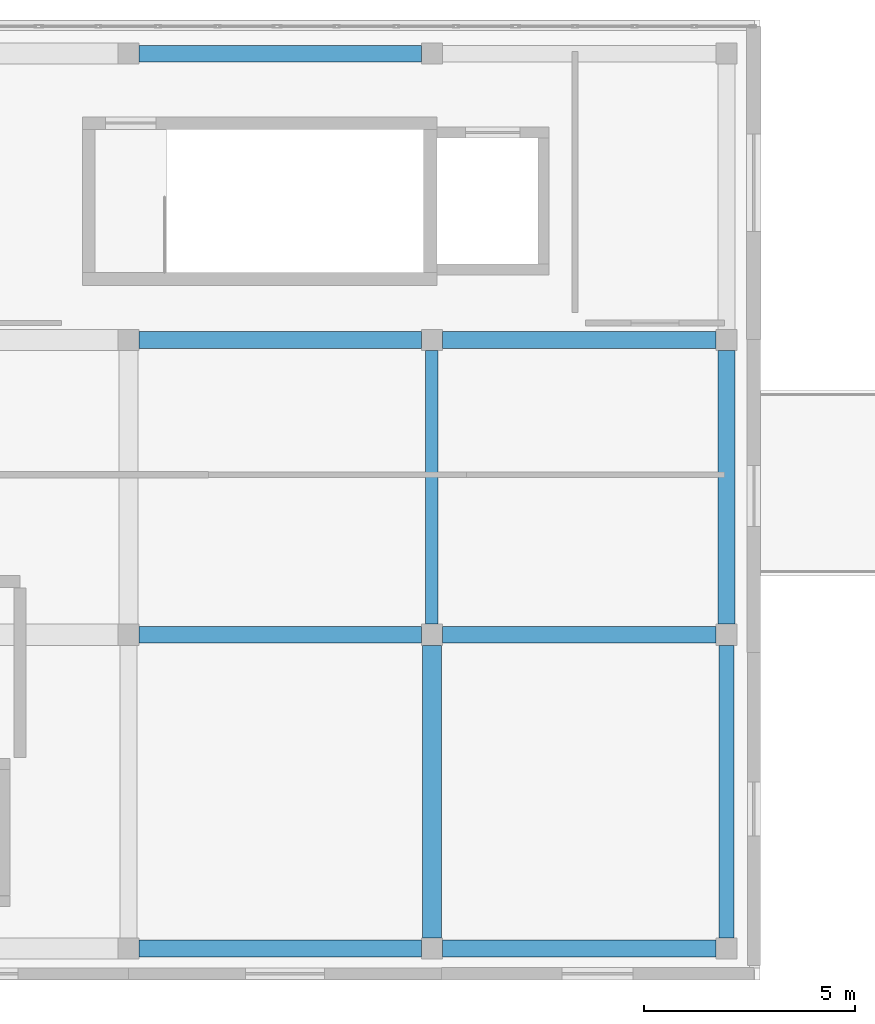
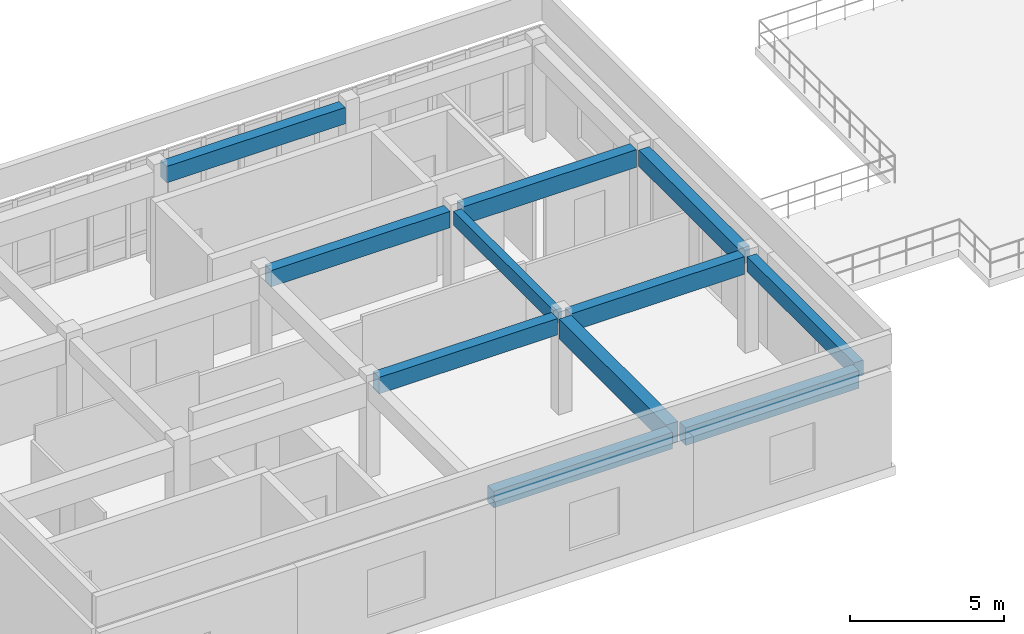
# One storey, part 9 of 14: 11 beams.
"""IFC4 building model written with IfcOpenShell, lengths in metres."""

from ifc_helpers import new_model, si_unit, direction, frame, origin, origin_2d, place, context, subcontext, project, spatial, rectangle, extrude, material, material_profile, profile_set, type_object, element, save


model = new_model("IFC4")

# Units and contexts
model_context = context("Model", 3, precision=1e-05, world=origin(), true_north=direction((0.0, 1.0)))
body_context = subcontext(model_context, "Body", "Model", "MODEL_VIEW")
ifc_project = project(units=[si_unit("LENGTHUNIT", "METRE"), si_unit("AREAUNIT", "SQUARE_METRE"), si_unit("VOLUMEUNIT", "CUBIC_METRE"), si_unit("PLANEANGLEUNIT", "RADIAN"), si_unit("MASSUNIT", "GRAM", prefix="KILO")], contexts=[model_context])

# Site, building, storey
site_placement = place(None, origin())
site = spatial("IfcSite", under=ifc_project, at=site_placement, CompositionType="ELEMENT")
building_placement = place(site_placement, origin())
building = spatial("IfcBuilding", under=site, at=building_placement, Name="Valcora Specialist Clinic", CompositionType="ELEMENT")
storey_placement = place(building_placement, frame((0.0, 0.0, 21.760009765625)))
storey = spatial("IfcBuildingStorey", under=building, at=storey_placement, Name="L05", CompositionType="ELEMENT", Elevation=21.760009765625)

# Beams
ifc_material = material(Name="Concrete C40/50", Category="concrete")
ifc_material_profile_1 = material_profile(ifc_material, rectangle(XDim=0.300048828125, YDim=0.550048828125, at=origin_2d()), Name="RC-BM-300X550")
ifc_profile_set_1 = profile_set([ifc_material_profile_1], Name="Concrete C40/50")
beam_type_1 = type_object("IfcBeamType", Name="TY-BM-RC300X550", PredefinedType="BEAM", material=ifc_profile_set_1)
beam_1_placement = place(storey_placement, frame((37.800048828125, 8.449951171875, 3.534912109375), z_axis=(0.0, 1.0, 0.0), x_axis=(-1.0, 0.0, 0.0)))
element("IfcBeam", 1, at=beam_1_placement, inside=storey, type_object=beam_type_1, Name="Beam BM-L05-1145", PredefinedType="BEAM", context=body_context, shape_type="SweptSolid", body=[
    extrude(rectangle(XDim=0.300048828125, YDim=0.550048828125, at=origin_2d()), origin(), (0.0, 0.0, 1.0), 6.5),
])
ifc_material_profile_2 = material_profile(ifc_material, rectangle(XDim=0.35009765625, YDim=0.60009765625, at=origin_2d()), Name="RC-BM-350X600")
ifc_profile_set_2 = profile_set([ifc_material_profile_2], Name="Concrete C40/50")
beam_type_2 = type_object("IfcBeamType", Name="TY-BM-RC350X600", PredefinedType="BEAM", material=ifc_profile_set_2)
beam_2_placement = place(storey_placement, frame((44.800048828125, 1.0, 3.510009765625), z_axis=(0.0, 1.0, 0.0), x_axis=(-1.0, 0.0, 0.0)))
element("IfcBeam", 2, at=beam_2_placement, inside=storey, type_object=beam_type_2, Name="Beam BM-L05-1146", PredefinedType="BEAM", context=body_context, shape_type="SweptSolid", body=[
    extrude(rectangle(XDim=0.35009765625, YDim=0.60009765625, at=origin_2d()), origin(), (0.0, 0.0, 1.0), 6.949951171875),
])
ifc_material_profile_3 = material_profile(ifc_material, rectangle(XDim=0.39990234375, YDim=0.64990234375, at=origin_2d()), Name="RC-BM-400X650")
ifc_profile_set_3 = profile_set([ifc_material_profile_3], Name="Concrete C40/50")
beam_type_3 = type_object("IfcBeamType", Name="TY-BM-RC400X650", PredefinedType="BEAM", material=ifc_profile_set_3)
for number, where, z_axis, x_axis, name in (
    (3, (30.85009765625, 0.75, 3.485107421875), (1.0, 0.0, 0.0), (0.0, 1.0, 0.0), "Beam BM-L05-1113"),
    (4, (30.85009765625, 8.199951171875, 3.485107421875), (1.0, 0.0, 0.0), (0.0, 1.0, 0.0), "Beam BM-L05-1119"),
    (5, (30.85009765625, 15.199951171875, 3.485107421875), (1.0, 0.0, 0.0), (0.0, 1.0, 0.0), "Beam BM-L05-1125"),
    (6, (30.85009765625, 22.0, 3.485107421875), (1.0, 0.0, 0.0), (0.0, 1.0, 0.0), "Beam BM-L05-1131"),
):
    element("IfcBeam", number, at=place(storey_placement, frame(where, z_axis=z_axis, x_axis=x_axis)), inside=storey, type_object=beam_type_3, Name=name, PredefinedType="BEAM", context=body_context, shape_type="SweptSolid", body=[
        extrude(rectangle(XDim=0.39990234375, YDim=0.64990234375, at=origin_2d()), origin(), (0.0, 0.0, 1.0), 6.699951171875),
    ])
beam_3_placement = place(storey_placement, frame((44.800048828125, 8.449951171875, 3.485107421875), z_axis=(0.0, 1.0, 0.0), x_axis=(-1.0, 0.0, 0.0)))
element("IfcBeam", 7, at=beam_3_placement, inside=storey, type_object=beam_type_3, Name="Beam BM-L05-1147", PredefinedType="BEAM", context=body_context, shape_type="SweptSolid", body=[
    extrude(rectangle(XDim=0.39990234375, YDim=0.64990234375, at=origin_2d()), origin(), (0.0, 0.0, 1.0), 6.5),
])
ifc_material_profile_4 = material_profile(ifc_material, rectangle(XDim=0.39990234375, YDim=0.699951171875, at=origin_2d()), Name="RC-BM-400X700")
ifc_profile_set_4 = profile_set([ifc_material_profile_4], Name="Concrete C40/50")
beam_type_4 = type_object("IfcBeamType", Name="TY-BM-RC400X700", PredefinedType="BEAM", material=ifc_profile_set_4)
for number, where, z_axis, x_axis, name in (
    (8, (38.050048828125, 0.75, 3.4599609375), (1.0, 0.0, 0.0), (0.0, 1.0, 0.0), "Beam BM-L05-1114"),
    (9, (38.050048828125, 8.199951171875, 3.4599609375), (1.0, 0.0, 0.0), (0.0, 1.0, 0.0), "Beam BM-L05-1120"),
    (10, (38.050048828125, 15.199951171875, 3.4599609375), (1.0, 0.0, 0.0), (0.0, 1.0, 0.0), "Beam BM-L05-1126"),
):
    element("IfcBeam", number, at=place(storey_placement, frame(where, z_axis=z_axis, x_axis=x_axis)), inside=storey, type_object=beam_type_4, Name=name, PredefinedType="BEAM", context=body_context, shape_type="SweptSolid", body=[
        extrude(rectangle(XDim=0.39990234375, YDim=0.699951171875, at=origin_2d()), origin(), (0.0, 0.0, 1.0), 6.5),
    ])
ifc_material_profile_5 = material_profile(ifc_material, rectangle(XDim=0.449951171875, YDim=0.800048828125, at=origin_2d()), Name="RC-BM-450X800")
ifc_profile_set_5 = profile_set([ifc_material_profile_5], Name="Concrete C40/50")
beam_type_5 = type_object("IfcBeamType", Name="TY-BM-RC450X800", PredefinedType="BEAM", material=ifc_profile_set_5)
beam_4_placement = place(storey_placement, frame((37.800048828125, 1.0, 3.409912109375), z_axis=(0.0, 1.0, 0.0), x_axis=(-1.0, 0.0, 0.0)))
element("IfcBeam", 11, at=beam_4_placement, inside=storey, type_object=beam_type_5, Name="Beam BM-L05-1144", PredefinedType="BEAM", context=body_context, shape_type="SweptSolid", body=[
    extrude(rectangle(XDim=0.449951171875, YDim=0.800048828125, at=origin_2d()), origin(), (0.0, 0.0, 1.0), 6.949951171875),
])

save(model, "model.ifc")
